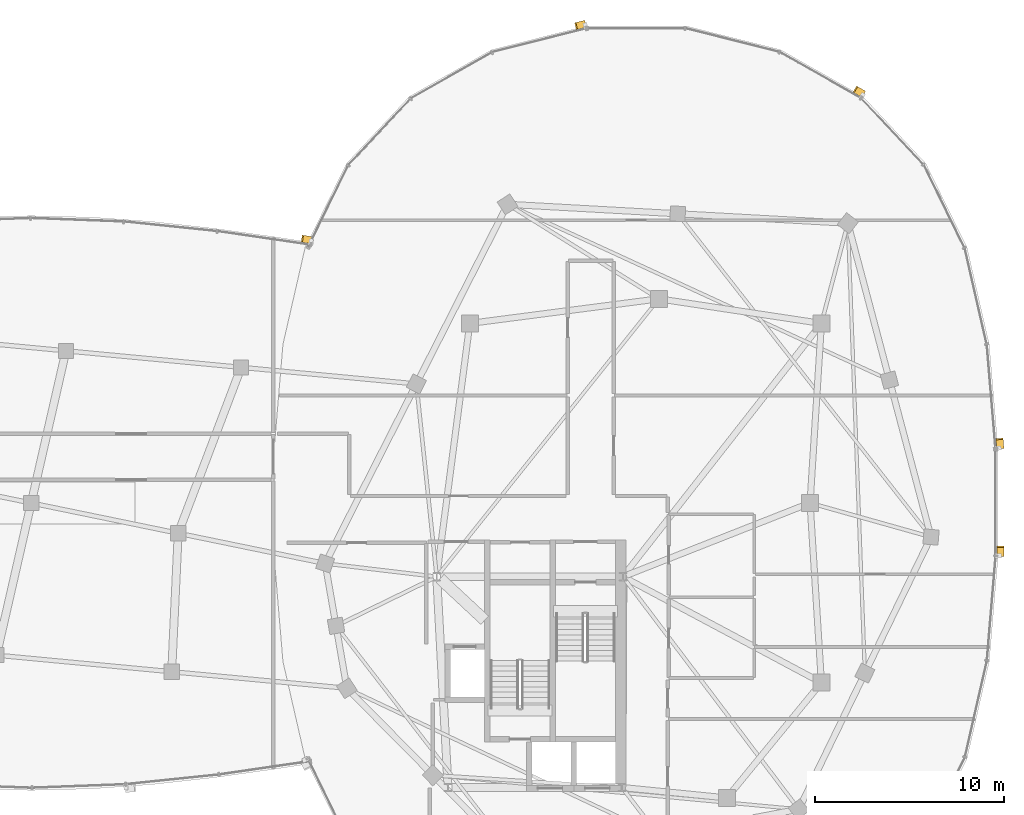
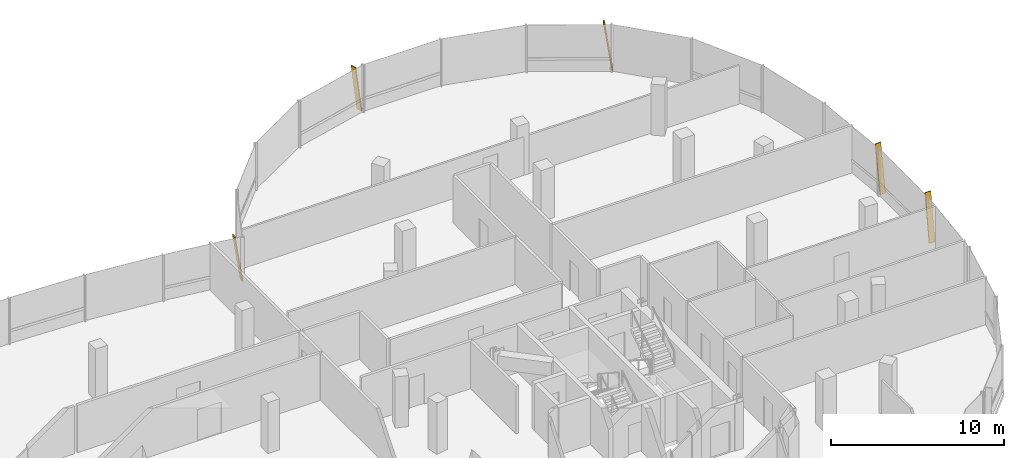
# One storey, part 26 of 26: 5 shading devices.
"""IFC4 building model written with IfcOpenShell, lengths in metres."""

from ifc_helpers import new_model, si_unit, direction, frame, origin, origin_2d, place, context, subcontext, project, spatial, rectangle, extrude, material, material_profile, profile_set, type_object, element, save


model = new_model("IFC4")

# Units and contexts
model_context = context("Model", 3, precision=1e-05, world=origin(), true_north=direction((0.0, 1.0)))
body_context = subcontext(model_context, "Body", "Model", "MODEL_VIEW")
ifc_project = project(units=[si_unit("LENGTHUNIT", "METRE"), si_unit("AREAUNIT", "SQUARE_METRE"), si_unit("VOLUMEUNIT", "CUBIC_METRE"), si_unit("PLANEANGLEUNIT", "RADIAN"), si_unit("MASSUNIT", "GRAM", prefix="KILO"), si_unit("THERMODYNAMICTEMPERATUREUNIT", "KELVIN"), si_unit("POWERUNIT", "WATT")], contexts=[model_context])

# Site, building, storey
site_placement = place(None, origin())
site = spatial("IfcSite", under=ifc_project, at=site_placement, CompositionType="ELEMENT")
building_placement = place(site_placement, origin())
building = spatial("IfcBuilding", under=site, at=building_placement, Name="Cundina Bronze Exchange", CompositionType="ELEMENT")
storey_placement = place(building_placement, frame((0.0, 0.0, 264.800048828125)))
storey = spatial("IfcBuildingStorey", under=building, at=storey_placement, Name="L70", CompositionType="ELEMENT", Elevation=264.800048828125)

# Shading devices
ifc_material = material(Name="Anodised Bronze Aluminium 6063-T6", Category="aluminium")
ifc_material_profile = material_profile(ifc_material, rectangle(XDim=0.070068359375, YDim=0.3798828125, at=origin_2d()), Name="FIN70X380", Category="aluminium")
ifc_profile_set = profile_set([ifc_material_profile], Name="Anodised Bronze Aluminium 6063-T6")
shading_device_type = type_object("IfcShadingDeviceType", Name="SHD-FIN-BRZ380", PredefinedType="USERDEFINED", material=ifc_profile_set)
for number, where, z_axis, x_axis, name in (
    (1, (51.26416015625, 2.90625, 0.02001953125), (-0.012006555776, 0.143419772964, 0.98958911238), (0.082555834947, -0.986139516224, 0.143921466983), "L70 Diagonal Bronze Solar Fin 1"),
    (2, (44.0126953125, 21.63720703125, 0.02001953125), (-0.125189514072, 0.071087145125, 0.989582843103), (0.860526986551, -0.488638423358, 0.143964567292), "L70 Diagonal Bronze Solar Fin 5"),
    (3, (29.290771484375, 25.343505859375, 0.02001953125), (-0.139611891367, -0.03514090606, 0.989582556693), (0.959650042543, 0.24154799183, 0.143966536007), "L70 Diagonal Bronze Solar Fin 1"),
    (4, (51.26904296875, -2.79150390625, 0.02001953125), (0.0, 0.143932024572, 0.989587576874), (0.0, -0.989587576874, 0.143932024572), "L70 Diagonal Bronze Solar Fin 5"),
):
    element("IfcShadingDevice", number, at=place(storey_placement, frame(where, z_axis=z_axis, x_axis=x_axis)), inside=storey, type_object=shading_device_type, Name=name, ObjectType="FIN", PredefinedType="USERDEFINED", context=body_context, shape_type="SweptSolid", body=[
        extrude(rectangle(XDim=0.070068359375, YDim=0.3798828125, at=origin_2d()), origin(), (0.0, 0.0, 1.0), 3.334716796875),
    ])
shading_device_placement = place(storey_placement, frame((14.8154296875, 13.90625, 0.02001953125), z_axis=(-0.145051508968, 0.021168873868, 0.989197623595), x_axis=(0.978828704224, -0.142850643371, 0.1465880673)))
element("IfcShadingDevice", 5, at=shading_device_placement, inside=storey, type_object=shading_device_type, Name="L70 Diagonal Bronze Solar Fin 1", ObjectType="FIN", PredefinedType="USERDEFINED", context=body_context, shape_type="SweptSolid", body=[
    extrude(rectangle(XDim=0.070068359375, YDim=0.3798828125, at=origin_2d()), origin(), (0.0, 0.0, 1.0), 3.275390625),
])

save(model, "model.ifc")
